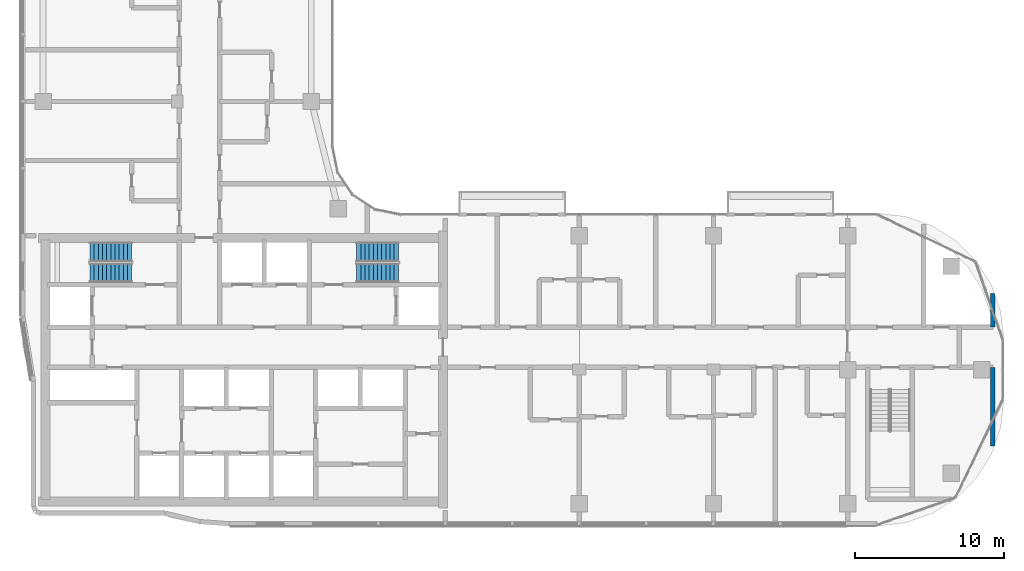
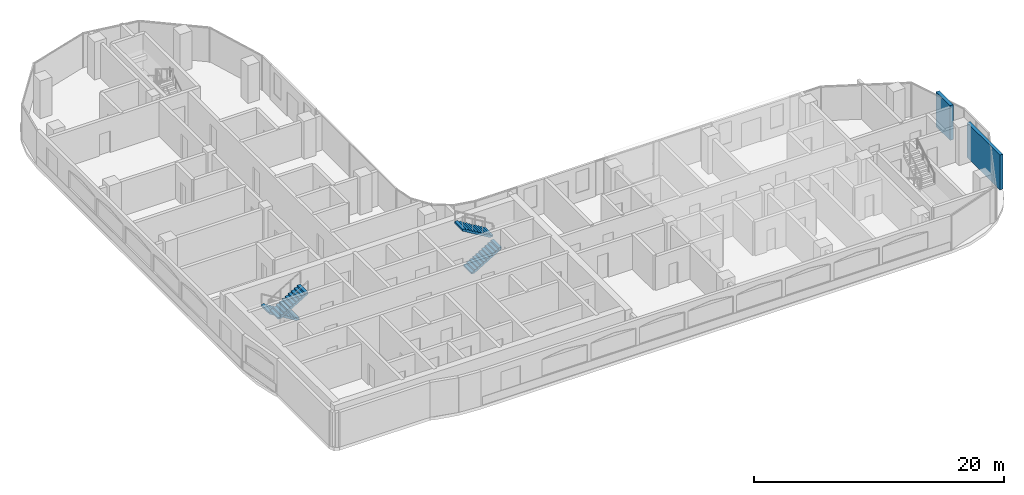
# One storey, part 12 of 22: 4 stair flights, 2 walls, 2 elements without a shape of their own.
"""IFC4 building model written with IfcOpenShell, lengths in metres."""

from ifc_helpers import new_model, si_unit, direction, frame, frame_2d, origin, place, context, subcontext, project, spatial, rectangle, extrude, triangles, source, transform, mapped, material, layer, layer_set, type_object, element, aggregate, save


model = new_model("IFC4")

# Units and contexts
model_context = context("Model", 3, precision=1e-05, world=origin(), true_north=direction((0.0, 1.0)))
body_context = subcontext(model_context, "Body", "Model", "MODEL_VIEW")
ifc_project = project(units=[si_unit("LENGTHUNIT", "METRE"), si_unit("AREAUNIT", "SQUARE_METRE"), si_unit("VOLUMEUNIT", "CUBIC_METRE"), si_unit("PLANEANGLEUNIT", "RADIAN"), si_unit("MASSUNIT", "GRAM", prefix="KILO")], contexts=[model_context])

# Site, building, storey
site_placement = place(None, origin())
site = spatial("IfcSite", under=ifc_project, at=site_placement, CompositionType="ELEMENT")
building_placement = place(site_placement, origin())
building = spatial("IfcBuilding", under=site, at=building_placement, Name="Ogive Portal Towers", CompositionType="ELEMENT")
storey_placement = place(building_placement, frame((0.0, 0.0, 145.89990234375)))
storey = spatial("IfcBuildingStorey", under=building, at=storey_placement, Name="L35", CompositionType="ELEMENT", Elevation=145.89990234375)

# Walls
ifc_material_1 = material(Name="Gypsum board partition on steel studs", Category="steel")
ifc_layer = layer(ifc_material_1, 0.300048828125)
ifc_layer_set = layer_set([ifc_layer], Name="WT-PART-300-EI 60")
wall_type = type_object("IfcWallType", Name="WT-PART-300-EI 60", PredefinedType="PARTITIONING", material=ifc_layer_set)
wall_1_placement = place(storey_placement, frame((95.25, 25.386962890625, 0.0), z_axis=(0.0, 0.0, 1.0), x_axis=(0.0, 1.0, 0.0)))
element("IfcWall", 1, at=wall_1_placement, inside=storey, type_object=wall_type, Name="Wall L35:w063", PredefinedType="PARTITIONING", context=body_context, shape_type="SweptSolid", body=[
    extrude(rectangle(XDim=5.262939453125, YDim=0.300048828125, at=frame_2d((2.63134765625, 0.0))), origin(), (0.0, 0.0, 1.0), 3.400146484375),
])
wall_2_placement = place(storey_placement, frame((95.25, 33.35009765625, 0.0), z_axis=(0.0, 0.0, 1.0), x_axis=(0.0, 1.0, 0.0)))
element("IfcWall", 2, at=wall_2_placement, inside=storey, type_object=wall_type, Name="Wall L35:w064", PredefinedType="PARTITIONING", context=body_context, shape_type="SweptSolid", body=[
    extrude(rectangle(XDim=2.262939453125, YDim=0.300048828125, at=frame_2d((1.13134765625, 0.0))), origin(), (0.0, 0.0, 1.0), 3.400146484375),
])

# Stair, stair flights
ifc_material_2 = material(Name="Concrete C40/50", Category="concrete")
stair_type = type_object("IfcStairType", Name="INT-STAIR", PredefinedType="HALF_TURN_STAIR", material=ifc_material_2)
stair_1_placement = place(storey_placement, origin())
stair_1 = element("IfcStair", 3, at=stair_1_placement, inside=storey, type_object=stair_type, Name="L35 Exit Stair ST-A1", PredefinedType="HALF_TURN_STAIR")
stair_flight_type = type_object("IfcStairFlightType", Name="INT-FLIGHT", PredefinedType="STRAIGHT", material=ifc_material_2)
shared_shape = source(origin(), body_context, "Body", "Tessellation", [
    triangles([(0.0, -0.650146484375, 0.0), (0.0, -0.376220703125, 0.0), (0.0, -0.192626953125, 0.0), (0.0, -0.081298828125, 0.0), (0.0, -0.024169921875, 0.0), (0.0, -0.003173828125, 0.0), (0.0, 0.0, 0.0), (0.0, 0.0029296875, 0.0), (0.0, 0.02392578125, 0.0), (0.0, 0.0810546875, 0.0), (0.0, 0.1923828125, 0.0), (0.0, 0.3759765625, 0.0), (0.0, 0.64990234375, 0.0), (0.0, -0.650146484375, 0.168212890625), (0.0, -0.376220703125, 0.168212890625), (0.0, -0.192626953125, 0.168212890625), (0.0, -0.081298828125, 0.168212890625), (0.0, -0.024169921875, 0.168212890625), (0.0, -0.003173828125, 0.168212890625), (0.0, 0.0, 0.168212890625), (0.0, 0.0029296875, 0.168212890625), (0.0, 0.02392578125, 0.168212890625), (0.0, 0.0810546875, 0.168212890625), (0.0, 0.1923828125, 0.168212890625), (0.0, 0.3759765625, 0.168212890625), (0.0, 0.64990234375, 0.168212890625), (0.280029296875, -0.650146484375, 0.168212890625), (0.280029296875, -0.376220703125, 0.168212890625), (0.280029296875, -0.192626953125, 0.168212890625), (0.280029296875, -0.081298828125, 0.168212890625), (0.280029296875, -0.024169921875, 0.168212890625), (0.280029296875, -0.003173828125, 0.168212890625), (0.280029296875, 0.0, 0.168212890625), (0.280029296875, 0.0029296875, 0.168212890625), (0.280029296875, 0.02392578125, 0.168212890625), (0.280029296875, 0.0810546875, 0.168212890625), (0.280029296875, 0.1923828125, 0.168212890625), (0.280029296875, 0.3759765625, 0.168212890625), (0.280029296875, 0.64990234375, 0.168212890625), (0.280029296875, -0.650146484375, 0.33642578125), (0.280029296875, -0.376220703125, 0.33642578125), (0.280029296875, -0.192626953125, 0.33642578125), (0.280029296875, -0.081298828125, 0.33642578125), (0.280029296875, -0.024169921875, 0.33642578125), (0.280029296875, -0.003173828125, 0.33642578125), (0.280029296875, 0.0, 0.33642578125), (0.280029296875, 0.0029296875, 0.33642578125), (0.280029296875, 0.02392578125, 0.33642578125), (0.280029296875, 0.0810546875, 0.33642578125), (0.280029296875, 0.1923828125, 0.33642578125), (0.280029296875, 0.3759765625, 0.33642578125), (0.280029296875, 0.64990234375, 0.33642578125), (0.56005859375, -0.650146484375, 0.33642578125), (0.56005859375, -0.376220703125, 0.33642578125), (0.56005859375, -0.192626953125, 0.33642578125), (0.56005859375, -0.081298828125, 0.33642578125), (0.56005859375, -0.024169921875, 0.33642578125), (0.56005859375, -0.003173828125, 0.33642578125), (0.56005859375, 0.0, 0.33642578125), (0.56005859375, 0.0029296875, 0.33642578125), (0.56005859375, 0.02392578125, 0.33642578125), (0.56005859375, 0.0810546875, 0.33642578125), (0.56005859375, 0.1923828125, 0.33642578125), (0.56005859375, 0.3759765625, 0.33642578125), (0.56005859375, 0.64990234375, 0.33642578125), (0.56005859375, -0.650146484375, 0.504638671875), (0.56005859375, -0.376220703125, 0.504638671875), (0.56005859375, -0.192626953125, 0.504638671875), (0.56005859375, -0.081298828125, 0.504638671875), (0.56005859375, -0.024169921875, 0.504638671875), (0.56005859375, -0.003173828125, 0.504638671875), (0.56005859375, 0.0, 0.504638671875), (0.56005859375, 0.0029296875, 0.504638671875), (0.56005859375, 0.02392578125, 0.504638671875), (0.56005859375, 0.0810546875, 0.504638671875), (0.56005859375, 0.1923828125, 0.504638671875), (0.56005859375, 0.3759765625, 0.504638671875), (0.56005859375, 0.64990234375, 0.504638671875), (0.840087890625, -0.650146484375, 0.504638671875), (0.840087890625, -0.376220703125, 0.504638671875), (0.840087890625, -0.192626953125, 0.504638671875), (0.840087890625, -0.081298828125, 0.504638671875), (0.840087890625, -0.024169921875, 0.504638671875), (0.840087890625, -0.003173828125, 0.504638671875), (0.840087890625, 0.0, 0.504638671875), (0.840087890625, 0.0029296875, 0.504638671875), (0.840087890625, 0.02392578125, 0.504638671875), (0.840087890625, 0.0810546875, 0.504638671875), (0.840087890625, 0.1923828125, 0.504638671875), (0.840087890625, 0.3759765625, 0.504638671875), (0.840087890625, 0.64990234375, 0.504638671875), (0.840087890625, -0.650146484375, 0.672607421875), (0.840087890625, -0.376220703125, 0.672607421875), (0.840087890625, -0.192626953125, 0.672607421875), (0.840087890625, -0.081298828125, 0.672607421875), (0.840087890625, -0.024169921875, 0.672607421875), (0.840087890625, -0.003173828125, 0.672607421875), (0.840087890625, 0.0, 0.672607421875), (0.840087890625, 0.0029296875, 0.672607421875), (0.840087890625, 0.02392578125, 0.672607421875), (0.840087890625, 0.0810546875, 0.672607421875), (0.840087890625, 0.1923828125, 0.672607421875), (0.840087890625, 0.3759765625, 0.672607421875), (0.840087890625, 0.64990234375, 0.672607421875), (1.1201171875, -0.650146484375, 0.672607421875), (1.1201171875, -0.376220703125, 0.672607421875), (1.1201171875, -0.192626953125, 0.672607421875), (1.1201171875, -0.081298828125, 0.672607421875), (1.1201171875, -0.024169921875, 0.672607421875), (1.1201171875, -0.003173828125, 0.672607421875), (1.1201171875, 0.0, 0.672607421875), (1.1201171875, 0.0029296875, 0.672607421875), (1.1201171875, 0.02392578125, 0.672607421875), (1.1201171875, 0.0810546875, 0.672607421875), (1.1201171875, 0.1923828125, 0.672607421875), (1.1201171875, 0.3759765625, 0.672607421875), (1.1201171875, 0.64990234375, 0.672607421875), (1.1201171875, -0.650146484375, 0.8408203125), (1.1201171875, -0.376220703125, 0.8408203125), (1.1201171875, -0.192626953125, 0.8408203125), (1.1201171875, -0.081298828125, 0.8408203125), (1.1201171875, -0.024169921875, 0.8408203125), (1.1201171875, -0.003173828125, 0.8408203125), (1.1201171875, 0.0, 0.8408203125), (1.1201171875, 0.0029296875, 0.8408203125), (1.1201171875, 0.02392578125, 0.8408203125), (1.1201171875, 0.0810546875, 0.8408203125), (1.1201171875, 0.1923828125, 0.8408203125), (1.1201171875, 0.3759765625, 0.8408203125), (1.1201171875, 0.64990234375, 0.8408203125), (1.39990234375, -0.650146484375, 0.8408203125), (1.39990234375, -0.376220703125, 0.8408203125), (1.39990234375, -0.192626953125, 0.8408203125), (1.39990234375, -0.081298828125, 0.8408203125), (1.39990234375, -0.024169921875, 0.8408203125), (1.39990234375, -0.003173828125, 0.8408203125), (1.39990234375, 0.0, 0.8408203125), (1.39990234375, 0.0029296875, 0.8408203125), (1.39990234375, 0.02392578125, 0.8408203125), (1.39990234375, 0.0810546875, 0.8408203125), (1.39990234375, 0.1923828125, 0.8408203125), (1.39990234375, 0.3759765625, 0.8408203125), (1.39990234375, 0.64990234375, 0.8408203125), (1.39990234375, -0.650146484375, 1.009033203125), (1.39990234375, -0.376220703125, 1.009033203125), (1.39990234375, -0.192626953125, 1.009033203125), (1.39990234375, -0.081298828125, 1.009033203125), (1.39990234375, -0.024169921875, 1.009033203125), (1.39990234375, -0.003173828125, 1.009033203125), (1.39990234375, 0.0, 1.009033203125), (1.39990234375, 0.0029296875, 1.009033203125), (1.39990234375, 0.02392578125, 1.009033203125), (1.39990234375, 0.0810546875, 1.009033203125), (1.39990234375, 0.1923828125, 1.009033203125), (1.39990234375, 0.3759765625, 1.009033203125), (1.39990234375, 0.64990234375, 1.009033203125), (1.679931640625, -0.650146484375, 1.009033203125), (1.679931640625, -0.376220703125, 1.009033203125), (1.679931640625, -0.192626953125, 1.009033203125), (1.679931640625, -0.081298828125, 1.009033203125), (1.679931640625, -0.024169921875, 1.009033203125), (1.679931640625, -0.003173828125, 1.009033203125), (1.679931640625, 0.0, 1.009033203125), (1.679931640625, 0.0029296875, 1.009033203125), (1.679931640625, 0.02392578125, 1.009033203125), (1.679931640625, 0.0810546875, 1.009033203125), (1.679931640625, 0.1923828125, 1.009033203125), (1.679931640625, 0.3759765625, 1.009033203125), (1.679931640625, 0.64990234375, 1.009033203125), (1.679931640625, -0.650146484375, 1.17724609375), (1.679931640625, -0.376220703125, 1.17724609375), (1.679931640625, -0.192626953125, 1.17724609375), (1.679931640625, -0.081298828125, 1.17724609375), (1.679931640625, -0.024169921875, 1.17724609375), (1.679931640625, -0.003173828125, 1.17724609375), (1.679931640625, 0.0, 1.17724609375), (1.679931640625, 0.0029296875, 1.17724609375), (1.679931640625, 0.02392578125, 1.17724609375), (1.679931640625, 0.0810546875, 1.17724609375), (1.679931640625, 0.1923828125, 1.17724609375), (1.679931640625, 0.3759765625, 1.17724609375), (1.679931640625, 0.64990234375, 1.17724609375), (1.9599609375, -0.650146484375, 1.17724609375), (1.9599609375, -0.376220703125, 1.17724609375), (1.9599609375, -0.192626953125, 1.17724609375), (1.9599609375, -0.081298828125, 1.17724609375), (1.9599609375, -0.024169921875, 1.17724609375), (1.9599609375, -0.003173828125, 1.17724609375), (1.9599609375, 0.0, 1.17724609375), (1.9599609375, 0.0029296875, 1.17724609375), (1.9599609375, 0.02392578125, 1.17724609375), (1.9599609375, 0.0810546875, 1.17724609375), (1.9599609375, 0.1923828125, 1.17724609375), (1.9599609375, 0.3759765625, 1.17724609375), (1.9599609375, 0.64990234375, 1.17724609375), (1.9599609375, -0.650146484375, 1.345458984375), (1.9599609375, -0.376220703125, 1.345458984375), (1.9599609375, -0.192626953125, 1.345458984375), (1.9599609375, -0.081298828125, 1.345458984375), (1.9599609375, -0.024169921875, 1.345458984375), (1.9599609375, -0.003173828125, 1.345458984375), (1.9599609375, 0.0, 1.345458984375), (1.9599609375, 0.0029296875, 1.345458984375), (1.9599609375, 0.02392578125, 1.345458984375), (1.9599609375, 0.0810546875, 1.345458984375), (1.9599609375, 0.1923828125, 1.345458984375), (1.9599609375, 0.3759765625, 1.345458984375), (1.9599609375, 0.64990234375, 1.345458984375), (2.239990234375, -0.650146484375, 1.345458984375), (2.239990234375, -0.376220703125, 1.345458984375), (2.239990234375, -0.192626953125, 1.345458984375), (2.239990234375, -0.081298828125, 1.345458984375), (2.239990234375, -0.024169921875, 1.345458984375), (2.239990234375, -0.003173828125, 1.345458984375), (2.239990234375, 0.0, 1.345458984375), (2.239990234375, 0.0029296875, 1.345458984375), (2.239990234375, 0.02392578125, 1.345458984375), (2.239990234375, 0.0810546875, 1.345458984375), (2.239990234375, 0.1923828125, 1.345458984375), (2.239990234375, 0.3759765625, 1.345458984375), (2.239990234375, 0.64990234375, 1.345458984375), (2.239990234375, -0.650146484375, 1.513671875), (2.239990234375, -0.376220703125, 1.513671875), (2.239990234375, -0.192626953125, 1.513671875), (2.239990234375, -0.081298828125, 1.513671875), (2.239990234375, -0.024169921875, 1.513671875), (2.239990234375, -0.003173828125, 1.513671875), (2.239990234375, 0.0, 1.513671875), (2.239990234375, 0.0029296875, 1.513671875), (2.239990234375, 0.02392578125, 1.513671875), (2.239990234375, 0.0810546875, 1.513671875), (2.239990234375, 0.1923828125, 1.513671875), (2.239990234375, 0.3759765625, 1.513671875), (2.239990234375, 0.64990234375, 1.513671875), (2.52001953125, -0.650146484375, 1.513671875), (2.52001953125, -0.376220703125, 1.513671875), (2.52001953125, -0.192626953125, 1.513671875), (2.52001953125, -0.081298828125, 1.513671875), (2.52001953125, -0.024169921875, 1.513671875), (2.52001953125, -0.003173828125, 1.513671875), (2.52001953125, 0.0, 1.513671875), (2.52001953125, 0.0029296875, 1.513671875), (2.52001953125, 0.02392578125, 1.513671875), (2.52001953125, 0.0810546875, 1.513671875), (2.52001953125, 0.1923828125, 1.513671875), (2.52001953125, 0.3759765625, 1.513671875), (2.52001953125, 0.64990234375, 1.513671875), (2.52001953125, -0.650146484375, 1.681884765625), (2.52001953125, -0.376220703125, 1.681884765625), (2.52001953125, -0.192626953125, 1.681884765625), (2.52001953125, -0.081298828125, 1.681884765625), (2.52001953125, -0.024169921875, 1.681884765625), (2.52001953125, -0.003173828125, 1.681884765625), (2.52001953125, 0.0, 1.681884765625), (2.52001953125, 0.0029296875, 1.681884765625), (2.52001953125, 0.02392578125, 1.681884765625), (2.52001953125, 0.0810546875, 1.681884765625), (2.52001953125, 0.1923828125, 1.681884765625), (2.52001953125, 0.3759765625, 1.681884765625), (2.52001953125, 0.64990234375, 1.681884765625), (2.800048828125, -0.650146484375, 1.681884765625), (2.800048828125, -0.376220703125, 1.681884765625), (2.800048828125, -0.192626953125, 1.681884765625), (2.800048828125, -0.081298828125, 1.681884765625), (2.800048828125, -0.024169921875, 1.681884765625), (2.800048828125, -0.003173828125, 1.681884765625), (2.800048828125, 0.0, 1.681884765625), (2.800048828125, 0.0029296875, 1.681884765625), (2.800048828125, 0.02392578125, 1.681884765625), (2.800048828125, 0.0810546875, 1.681884765625), (2.800048828125, 0.1923828125, 1.681884765625), (2.800048828125, 0.3759765625, 1.681884765625), (2.800048828125, 0.64990234375, 1.681884765625), (2.800048828125, -0.650146484375, 1.5068359375), (2.800048828125, -0.376220703125, 1.5068359375), (2.800048828125, -0.192626953125, 1.5068359375), (2.800048828125, -0.081298828125, 1.5068359375), (2.800048828125, -0.024169921875, 1.5068359375), (2.800048828125, -0.003173828125, 1.5068359375), (2.800048828125, 0.0, 1.5068359375), (2.800048828125, 0.0029296875, 1.5068359375), (2.800048828125, 0.02392578125, 1.5068359375), (2.800048828125, 0.0810546875, 1.5068359375), (2.800048828125, 0.1923828125, 1.5068359375), (2.800048828125, 0.3759765625, 1.5068359375), (2.800048828125, 0.64990234375, 1.5068359375), (0.291015625, -0.650146484375, 0.0), (0.291015625, -0.376220703125, 0.0), (0.291015625, -0.192626953125, 0.0), (0.291015625, -0.081298828125, 0.0), (0.291015625, -0.024169921875, 0.0), (0.291015625, -0.003173828125, 0.0), (0.291015625, 0.0, 0.0), (0.291015625, 0.0029296875, 0.0), (0.291015625, 0.02392578125, 0.0), (0.291015625, 0.0810546875, 0.0), (0.291015625, 0.1923828125, 0.0), (0.291015625, 0.3759765625, 0.0), (0.291015625, 0.64990234375, 0.0)], [[1, 14, 15], [1, 15, 2], [2, 15, 16], [2, 16, 3], [3, 16, 17], [3, 17, 4], [4, 17, 18], [4, 18, 5], [5, 18, 19], [5, 19, 6], [6, 19, 20], [6, 20, 7], [7, 20, 21], [7, 21, 8], [8, 21, 22], [8, 22, 9], [9, 22, 23], [9, 23, 10], [10, 23, 24], [10, 24, 11], [11, 24, 25], [11, 25, 12], [12, 25, 26], [12, 26, 13], [14, 27, 28], [14, 28, 15], [15, 28, 29], [15, 29, 16], [16, 29, 30], [16, 30, 17], [17, 30, 31], [17, 31, 18], [18, 31, 32], [18, 32, 19], [19, 32, 33], [19, 33, 20], [20, 33, 34], [20, 34, 21], [21, 34, 35], [21, 35, 22], [22, 35, 36], [22, 36, 23], [23, 36, 37], [23, 37, 24], [24, 37, 38], [24, 38, 25], [25, 38, 39], [25, 39, 26], [27, 40, 41], [27, 41, 28], [28, 41, 42], [28, 42, 29], [29, 42, 43], [29, 43, 30], [30, 43, 44], [30, 44, 31], [31, 44, 45], [31, 45, 32], [32, 45, 46], [32, 46, 33], [33, 46, 47], [33, 47, 34], [34, 47, 48], [34, 48, 35], [35, 48, 49], [35, 49, 36], [36, 49, 50], [36, 50, 37], [37, 50, 51], [37, 51, 38], [38, 51, 52], [38, 52, 39], [40, 53, 54], [40, 54, 41], [41, 54, 55], [41, 55, 42], [42, 55, 56], [42, 56, 43], [43, 56, 57], [43, 57, 44], [44, 57, 58], [44, 58, 45], [45, 58, 59], [45, 59, 46], [46, 59, 60], [46, 60, 47], [47, 60, 61], [47, 61, 48], [48, 61, 62], [48, 62, 49], [49, 62, 63], [49, 63, 50], [50, 63, 64], [50, 64, 51], [51, 64, 65], [51, 65, 52], [53, 66, 67], [53, 67, 54], [54, 67, 68], [54, 68, 55], [55, 68, 69], [55, 69, 56], [56, 69, 70], [56, 70, 57], [57, 70, 71], [57, 71, 58], [58, 71, 72], [58, 72, 59], [59, 72, 73], [59, 73, 60], [60, 73, 74], [60, 74, 61], [61, 74, 75], [61, 75, 62], [62, 75, 76], [62, 76, 63], [63, 76, 77], [63, 77, 64], [64, 77, 78], [64, 78, 65], [66, 79, 80], [66, 80, 67], [67, 80, 81], [67, 81, 68], [68, 81, 82], [68, 82, 69], [69, 82, 83], [69, 83, 70], [70, 83, 84], [70, 84, 71], [71, 84, 85], [71, 85, 72], [72, 85, 86], [72, 86, 73], [73, 86, 87], [73, 87, 74], [74, 87, 88], [74, 88, 75], [75, 88, 89], [75, 89, 76], [76, 89, 90], [76, 90, 77], [77, 90, 91], [77, 91, 78], [79, 92, 93], [79, 93, 80], [80, 93, 94], [80, 94, 81], [81, 94, 95], [81, 95, 82], [82, 95, 96], [82, 96, 83], [83, 96, 97], [83, 97, 84], [84, 97, 98], [84, 98, 85], [85, 98, 99], [85, 99, 86], [86, 99, 100], [86, 100, 87], [87, 100, 101], [87, 101, 88], [88, 101, 102], [88, 102, 89], [89, 102, 103], [89, 103, 90], [90, 103, 104], [90, 104, 91], [92, 105, 106], [92, 106, 93], [93, 106, 107], [93, 107, 94], [94, 107, 108], [94, 108, 95], [95, 108, 109], [95, 109, 96], [96, 109, 110], [96, 110, 97], [97, 110, 111], [97, 111, 98], [98, 111, 112], [98, 112, 99], [99, 112, 113], [99, 113, 100], [100, 113, 114], [100, 114, 101], [101, 114, 115], [101, 115, 102], [102, 115, 116], [102, 116, 103], [103, 116, 117], [103, 117, 104], [105, 118, 119], [105, 119, 106], [106, 119, 120], [106, 120, 107], [107, 120, 121], [107, 121, 108], [108, 121, 122], [108, 122, 109], [109, 122, 123], [109, 123, 110], [110, 123, 124], [110, 124, 111], [111, 124, 125], [111, 125, 112], [112, 125, 126], [112, 126, 113], [113, 126, 127], [113, 127, 114], [114, 127, 128], [114, 128, 115], [115, 128, 129], [115, 129, 116], [116, 129, 130], [116, 130, 117], [118, 131, 132], [118, 132, 119], [119, 132, 133], [119, 133, 120], [120, 133, 134], [120, 134, 121], [121, 134, 135], [121, 135, 122], [122, 135, 136], [122, 136, 123], [123, 136, 137], [123, 137, 124], [124, 137, 138], [124, 138, 125], [125, 138, 139], [125, 139, 126], [126, 139, 140], [126, 140, 127], [127, 140, 141], [127, 141, 128], [128, 141, 142], [128, 142, 129], [129, 142, 143], [129, 143, 130], [131, 144, 145], [131, 145, 132], [132, 145, 146], [132, 146, 133], [133, 146, 147], [133, 147, 134], [134, 147, 148], [134, 148, 135], [135, 148, 149], [135, 149, 136], [136, 149, 150], [136, 150, 137], [137, 150, 151], [137, 151, 138], [138, 151, 152], [138, 152, 139], [139, 152, 153], [139, 153, 140], [140, 153, 154], [140, 154, 141], [141, 154, 155], [141, 155, 142], [142, 155, 156], [142, 156, 143], [144, 157, 158], [144, 158, 145], [145, 158, 159], [145, 159, 146], [146, 159, 160], [146, 160, 147], [147, 160, 161], [147, 161, 148], [148, 161, 162], [148, 162, 149], [149, 162, 163], [149, 163, 150], [150, 163, 164], [150, 164, 151], [151, 164, 165], [151, 165, 152], [152, 165, 166], [152, 166, 153], [153, 166, 167], [153, 167, 154], [154, 167, 168], [154, 168, 155], [155, 168, 169], [155, 169, 156], [157, 170, 171], [157, 171, 158], [158, 171, 172], [158, 172, 159], [159, 172, 173], [159, 173, 160], [160, 173, 174], [160, 174, 161], [161, 174, 175], [161, 175, 162], [162, 175, 176], [162, 176, 163], [163, 176, 177], [163, 177, 164], [164, 177, 178], [164, 178, 165], [165, 178, 179], [165, 179, 166], [166, 179, 180], [166, 180, 167], [167, 180, 181], [167, 181, 168], [168, 181, 182], [168, 182, 169], [170, 183, 184], [170, 184, 171], [171, 184, 185], [171, 185, 172], [172, 185, 186], [172, 186, 173], [173, 186, 187], [173, 187, 174], [174, 187, 188], [174, 188, 175], [175, 188, 189], [175, 189, 176], [176, 189, 190], [176, 190, 177], [177, 190, 191], [177, 191, 178], [178, 191, 192], [178, 192, 179], [179, 192, 193], [179, 193, 180], [180, 193, 194], [180, 194, 181], [181, 194, 195], [181, 195, 182], [183, 196, 197], [183, 197, 184], [184, 197, 198], [184, 198, 185], [185, 198, 199], [185, 199, 186], [186, 199, 200], [186, 200, 187], [187, 200, 201], [187, 201, 188], [188, 201, 202], [188, 202, 189], [189, 202, 203], [189, 203, 190], [190, 203, 204], [190, 204, 191], [191, 204, 205], [191, 205, 192], [192, 205, 206], [192, 206, 193], [193, 206, 207], [193, 207, 194], [194, 207, 208], [194, 208, 195], [196, 209, 210], [196, 210, 197], [197, 210, 211], [197, 211, 198], [198, 211, 212], [198, 212, 199], [199, 212, 213], [199, 213, 200], [200, 213, 214], [200, 214, 201], [201, 214, 215], [201, 215, 202], [202, 215, 216], [202, 216, 203], [203, 216, 217], [203, 217, 204], [204, 217, 218], [204, 218, 205], [205, 218, 219], [205, 219, 206], [206, 219, 220], [206, 220, 207], [207, 220, 221], [207, 221, 208], [209, 222, 223], [209, 223, 210], [210, 223, 224], [210, 224, 211], [211, 224, 225], [211, 225, 212], [212, 225, 226], [212, 226, 213], [213, 226, 227], [213, 227, 214], [214, 227, 228], [214, 228, 215], [215, 228, 229], [215, 229, 216], [216, 229, 230], [216, 230, 217], [217, 230, 231], [217, 231, 218], [218, 231, 232], [218, 232, 219], [219, 232, 233], [219, 233, 220], [220, 233, 234], [220, 234, 221], [222, 235, 236], [222, 236, 223], [223, 236, 237], [223, 237, 224], [224, 237, 238], [224, 238, 225], [225, 238, 239], [225, 239, 226], [226, 239, 240], [226, 240, 227], [227, 240, 241], [227, 241, 228], [228, 241, 242], [228, 242, 229], [229, 242, 243], [229, 243, 230], [230, 243, 244], [230, 244, 231], [231, 244, 245], [231, 245, 232], [232, 245, 246], [232, 246, 233], [233, 246, 247], [233, 247, 234], [235, 248, 249], [235, 249, 236], [236, 249, 250], [236, 250, 237], [237, 250, 251], [237, 251, 238], [238, 251, 252], [238, 252, 239], [239, 252, 253], [239, 253, 240], [240, 253, 254], [240, 254, 241], [241, 254, 255], [241, 255, 242], [242, 255, 256], [242, 256, 243], [243, 256, 257], [243, 257, 244], [244, 257, 258], [244, 258, 245], [245, 258, 259], [245, 259, 246], [246, 259, 260], [246, 260, 247], [248, 261, 262], [248, 262, 249], [249, 262, 263], [249, 263, 250], [250, 263, 264], [250, 264, 251], [251, 264, 265], [251, 265, 252], [252, 265, 266], [252, 266, 253], [253, 266, 267], [253, 267, 254], [254, 267, 268], [254, 268, 255], [255, 268, 269], [255, 269, 256], [256, 269, 270], [256, 270, 257], [257, 270, 271], [257, 271, 258], [258, 271, 272], [258, 272, 259], [259, 272, 273], [259, 273, 260], [261, 274, 275], [261, 275, 262], [262, 275, 276], [262, 276, 263], [263, 276, 277], [263, 277, 264], [264, 277, 278], [264, 278, 265], [265, 278, 279], [265, 279, 266], [266, 279, 280], [266, 280, 267], [267, 280, 281], [267, 281, 268], [268, 281, 282], [268, 282, 269], [269, 282, 283], [269, 283, 270], [270, 283, 284], [270, 284, 271], [271, 284, 285], [271, 285, 272], [272, 285, 286], [272, 286, 273], [274, 287, 288], [274, 288, 275], [275, 288, 289], [275, 289, 276], [276, 289, 290], [276, 290, 277], [277, 290, 291], [277, 291, 278], [278, 291, 292], [278, 292, 279], [279, 292, 293], [279, 293, 280], [280, 293, 294], [280, 294, 281], [281, 294, 295], [281, 295, 282], [282, 295, 296], [282, 296, 283], [283, 296, 297], [283, 297, 284], [284, 297, 298], [284, 298, 285], [285, 298, 299], [285, 299, 286], [287, 1, 2], [287, 2, 288], [288, 2, 3], [288, 3, 289], [289, 3, 4], [289, 4, 290], [290, 4, 5], [290, 5, 291], [291, 5, 6], [291, 6, 292], [292, 6, 7], [292, 7, 293], [293, 7, 8], [293, 8, 294], [294, 8, 9], [294, 9, 295], [295, 9, 10], [295, 10, 296], [296, 10, 11], [296, 11, 297], [297, 11, 12], [297, 12, 298], [298, 12, 13], [298, 13, 299], [1, 287, 274], [13, 286, 299], [274, 261, 248], [286, 260, 273], [274, 248, 235], [286, 247, 260], [274, 235, 222], [286, 234, 247], [274, 222, 209], [286, 221, 234], [209, 196, 183], [221, 195, 208], [274, 209, 183], [286, 195, 221], [183, 170, 157], [195, 169, 182], [274, 183, 157], [286, 169, 195], [157, 144, 131], [169, 143, 156], [274, 157, 131], [286, 143, 169], [131, 118, 105], [143, 117, 130], [274, 131, 105], [286, 117, 143], [1, 274, 105], [13, 117, 286], [105, 92, 79], [117, 91, 104], [79, 66, 53], [91, 65, 78], [105, 79, 53], [117, 65, 91], [53, 40, 27], [65, 39, 52], [105, 53, 27], [117, 39, 65], [1, 105, 27], [13, 39, 117], [27, 14, 1], [39, 13, 26]], closed=True),
])
stair_flight_1_placement = place(storey_placement, frame((37.449951171875, 38.39990234375, 0.0), z_axis=(0.0, 0.0, 1.0), x_axis=(-1.0, 0.0, 0.0)))
stair_flight_1 = element("IfcStairFlight", 4, at=stair_flight_1_placement, type_object=stair_flight_type, Name="ST-A1 flight 1", NumberOfRisers=11, NumberOfTreads=10, PredefinedType="STRAIGHT", RiserHeight=0.168181818, TreadLength=0.28, context=body_context, shape_type="MappedRepresentation", body=[
    mapped(shared_shape, transform((0.0, 0.0, 0.0), scale=1.0)),
])
stair_flight_2_placement = place(storey_placement, frame((34.64990234375, 37.0, 1.85009765625), z_axis=(0.0, 0.0, 1.0), x_axis=(1.0, 0.0, 0.0)))
stair_flight_2 = element("IfcStairFlight", 5, at=stair_flight_2_placement, type_object=stair_flight_type, Name="ST-A1 flight 2", NumberOfRisers=11, NumberOfTreads=10, PredefinedType="STRAIGHT", RiserHeight=0.168181818, TreadLength=0.28, context=body_context, shape_type="MappedRepresentation", body=[
    mapped(shared_shape, transform((0.0, 0.0, 0.0), scale=1.0)),
])
aggregate(stair_1, [stair_flight_1, stair_flight_2])

stair_2_placement = place(storey_placement, origin())
stair_2 = element("IfcStair", 6, at=stair_2_placement, inside=storey, type_object=stair_type, Name="L35 Exit Stair ST-A2", PredefinedType="HALF_TURN_STAIR")
stair_flight_3_placement = place(storey_placement, frame((52.550048828125, 37.0, 0.0), z_axis=(0.0, 0.0, 1.0), x_axis=(1.0, 0.0, 0.0)))
stair_flight_3 = element("IfcStairFlight", 7, at=stair_flight_3_placement, type_object=stair_flight_type, Name="ST-A2 flight 1", NumberOfRisers=11, NumberOfTreads=10, PredefinedType="STRAIGHT", RiserHeight=0.168181818, TreadLength=0.28, context=body_context, shape_type="MappedRepresentation", body=[
    mapped(shared_shape, transform((0.0, 0.0, 0.0), scale=1.0)),
])
stair_flight_4_placement = place(storey_placement, frame((55.35009765625, 38.39990234375, 1.85009765625), z_axis=(0.0, 0.0, 1.0), x_axis=(-1.0, 0.0, 0.0)))
stair_flight_4 = element("IfcStairFlight", 8, at=stair_flight_4_placement, type_object=stair_flight_type, Name="ST-A2 flight 2", NumberOfRisers=11, NumberOfTreads=10, PredefinedType="STRAIGHT", RiserHeight=0.168181818, TreadLength=0.28, context=body_context, shape_type="MappedRepresentation", body=[
    mapped(shared_shape, transform((0.0, 0.0, 0.0), scale=1.0)),
])
aggregate(stair_2, [stair_flight_3, stair_flight_4])

save(model, "model.ifc")
